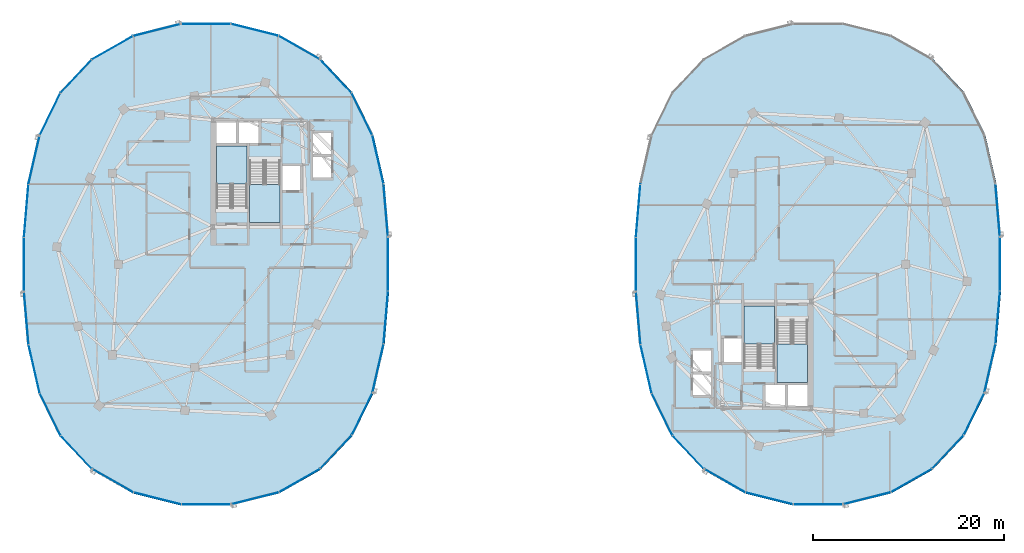
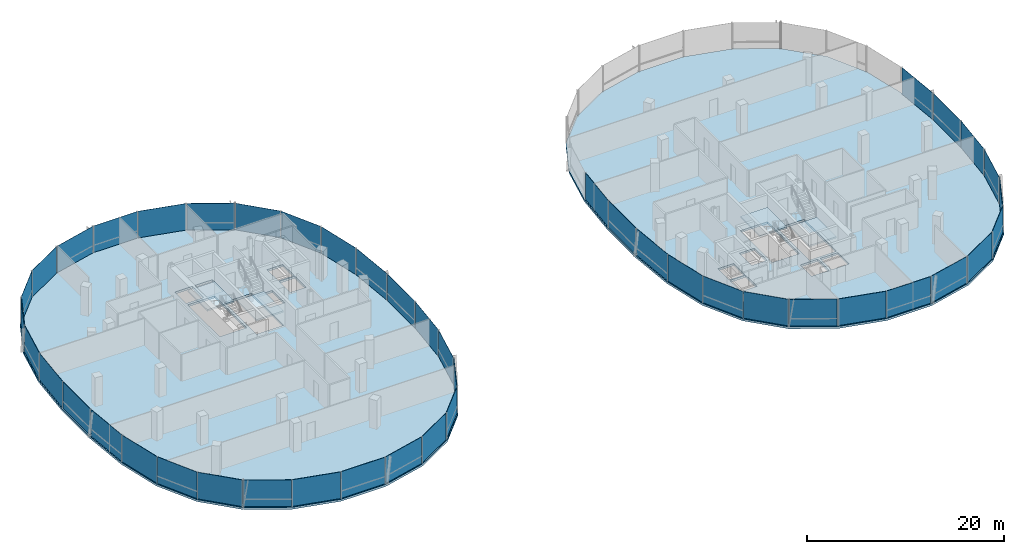
# One storey, part 13 of 25: 45 plates, 6 slabs, 12 elements without a shape of their own.
"""IFC4 building model written with IfcOpenShell, lengths in metres."""

import ifcopenshell
import ifcopenshell.guid

model = None  # the IFC model being written
_history = None  # IfcOwnerHistory: only IFC2X3 demands one
_inside = {}  # id of a spatial element -> (the spatial element, [elements in it])
_under = {}  # id of a project, library or spatial element -> (it, [spatial elements below it])
_declared = {}  # id of a project -> (the project, [libraries it declares])
_typed = {}  # id of a type object -> (the type object, [elements of that type])
_made_of = {}  # id of a material, layer set ... -> (it, [elements and type objects made of it])


def new_model(schema):
    """Start an empty IFC model of exactly this schema.

    Asked for "IFC4X3", IfcOpenShell would pick the latest addendum, in which some entities
    have other attributes; the version numbers below select the first issue.
    IFC2X3 requires an IfcOwnerHistory on every rooted entity: one is made here for all.
    """
    global model, _history
    if schema == "IFC4X3":
        model = ifcopenshell.file(schema_version=(4, 3, 0, 0))
    else:
        model = ifcopenshell.file(schema=schema)
    _inside.clear()
    _under.clear()
    _declared.clear()
    _typed.clear()
    _made_of.clear()
    _history = None
    if model.schema == "IFC2X3":
        org = make("IfcOrganization", Name="unknown")
        user = make(
            "IfcPersonAndOrganization",
            ThePerson=make("IfcPerson", FamilyName="unknown"),
            TheOrganization=org,
        )
        app = make(
            "IfcApplication",
            ApplicationDeveloper=org,
            Version="unknown",
            ApplicationFullName="unknown",
            ApplicationIdentifier="unknown",
        )
        _history = make(
            "IfcOwnerHistory",
            OwningUser=user,
            OwningApplication=app,
            ChangeAction="ADDED",
            CreationDate=0,
        )
    return model


def make(cls, **values):
    """One entity of the class cls with the attributes given. An attribute that is None is left unset."""
    return model.create_entity(
        cls, **{name: value for name, value in values.items() if value is not None}
    )


def rooted(cls, **values):
    """An entity with a GlobalId (a new one), such as an element, a storey or a relation."""
    return make(cls, GlobalId=ifcopenshell.guid.new(), OwnerHistory=_history, **values)


def si_unit(unit_type, name, prefix=None):
    """IfcSIUnit, for example si_unit("LENGTHUNIT", "METRE", prefix="MILLI")."""
    return make("IfcSIUnit", UnitType=unit_type, Prefix=prefix, Name=name)


def assignment(units):
    """IfcUnitAssignment: the units of a project."""
    return None if units is None else make("IfcUnitAssignment", Units=units)


def point(xyz):
    """IfcCartesianPoint."""
    return None if xyz is None else make("IfcCartesianPoint", Coordinates=xyz)


def direction(xyz):
    """IfcDirection."""
    return None if xyz is None else make("IfcDirection", DirectionRatios=xyz)


def frame(location, z_axis=None, x_axis=None):
    """IfcAxis2Placement3D, a coordinate frame: its origin and axes. An axis left out is left unset."""
    return make(
        "IfcAxis2Placement3D",
        Location=point(location),
        Axis=direction(z_axis),
        RefDirection=direction(x_axis),
    )


def frame_2d(location, x_axis=None):
    """IfcAxis2Placement2D, a coordinate frame in the plane: its origin and x axis."""
    return make(
        "IfcAxis2Placement2D", Location=point(location), RefDirection=direction(x_axis)
    )


def origin():
    """The frame at (0, 0, 0) with its axes left unset."""
    return frame((0.0, 0.0, 0.0))


def origin_2d():
    """The frame at (0, 0) in the plane with its x axis left unset."""
    return frame_2d((0.0, 0.0))


def place(relative_to, where):
    """IfcLocalPlacement: puts the frame where relative to a parent placement (None: the world)."""
    return make(
        "IfcLocalPlacement", PlacementRelTo=relative_to, RelativePlacement=where
    )


def context(
    kind, dimensions, precision=None, world=None, true_north=None, identifier=None
):
    """IfcGeometricRepresentationContext, for example the 3D "Model" context."""
    return make(
        "IfcGeometricRepresentationContext",
        ContextIdentifier=identifier,
        ContextType=kind,
        CoordinateSpaceDimension=dimensions,
        Precision=precision,
        WorldCoordinateSystem=world,
        TrueNorth=true_north,
    )


def subcontext(parent, identifier, kind, view, scale=None):
    """IfcGeometricRepresentationSubContext, for example "Body" below "Model"."""
    return make(
        "IfcGeometricRepresentationSubContext",
        ContextIdentifier=identifier,
        ContextType=kind,
        ParentContext=parent,
        TargetScale=scale,
        TargetView=view,
    )


def project(units=None, contexts=None):
    """IfcProject with its units and contexts."""
    return rooted(
        "IfcProject",
        Name="project",
        RepresentationContexts=contexts,
        UnitsInContext=assignment(units),
    )


def spatial(cls, under=None, at=None, **own):
    """A site, building, storey or space (cls), placed at a placement, below another one or the project."""
    s = rooted(cls, ObjectPlacement=at, **own)
    if under is not None:
        _under.setdefault(under.id(), (under, []))[1].append(s)
    return s


def polyline(points):
    """IfcPolyline through the points."""
    return make("IfcPolyline", Points=[point(p) for p in points])


def profile(cls, at=None, kind="AREA", **sizes):
    """A parametric profile (cls). Its sizes go by their IFC names, for example OverallWidth=200.0."""
    return make(cls, ProfileType=kind, Position=at, **sizes)


def rectangle(**sizes):
    """IfcRectangleProfileDef."""
    return profile("IfcRectangleProfileDef", **sizes)


def outline(outer, holes=None, kind="AREA"):
    """IfcArbitraryClosedProfileDef: a profile drawn as a closed curve; with holes, ...WithVoids."""
    if holes is None:
        return make("IfcArbitraryClosedProfileDef", ProfileType=kind, OuterCurve=outer)
    return make(
        "IfcArbitraryProfileDefWithVoids",
        ProfileType=kind,
        OuterCurve=outer,
        InnerCurves=holes,
    )


def extrude(swept, where, along, depth):
    """IfcExtrudedAreaSolid: the profile swept, set in the frame where, extruded along a direction by depth."""
    return make(
        "IfcExtrudedAreaSolid",
        SweptArea=swept,
        Position=where,
        ExtrudedDirection=direction(along),
        Depth=depth,
    )


def shape(context_of_items, identifier, shape_type, items):
    """IfcShapeRepresentation: the items that make up one representation, for example the "Body"."""
    return make(
        "IfcShapeRepresentation",
        ContextOfItems=context_of_items,
        RepresentationIdentifier=identifier,
        RepresentationType=shape_type,
        Items=items,
    )


def material(Name=None, Category=None):
    """IfcMaterial."""
    return make("IfcMaterial", Name=Name, Category=Category)


def layer(
    of_material, thickness, ventilated=None, Name=None, Category=None, Priority=None
):
    """IfcMaterialLayer: one layer of a wall or slab, of a material (None: an air gap)."""
    return make(
        "IfcMaterialLayer",
        Material=of_material,
        LayerThickness=thickness,
        IsVentilated=ventilated,
        Name=Name,
        Category=Category,
        Priority=Priority,
    )


def layer_set(layers, Name=None):
    """IfcMaterialLayerSet."""
    return make("IfcMaterialLayerSet", MaterialLayers=layers, LayerSetName=Name)


def made_of(thing, what):
    """Note that an element or type object is made of a material, layer set ...; save() writes the relation."""
    if what is not None:
        _made_of.setdefault(what.id(), (what, []))[1].append(thing)
    return thing


def type_object(cls, material=None, **own):
    """A type object (cls), such as IfcWallType, which elements share."""
    return made_of(rooted(cls, **own), material)


def element(
    cls,
    number,
    at=None,
    inside=None,
    cuts=None,
    type_object=None,
    material=None,
    context=None,
    identifier="Body",
    shape_type=None,
    held_by="IfcProductDefinitionShape",
    body=None,
    shapes=None,
    **own,
):
    """One element of the class cls, such as IfcWall. Its Tag is "e" and its number.

    at: its placement. inside: the storey or other place that contains it. cuts: it is an
    opening in that element (IfcRelVoidsElement). A single representation is given by context,
    identifier, shape_type and body (its items); several are given by shapes. held_by: the class
    of the entity that holds the representations. save() writes the other relations.
    """
    e = rooted(cls, Tag="e%d" % number, ObjectPlacement=at, **own)
    if body is not None:
        shapes = [shape(context, identifier, shape_type, body)]
    if shapes is not None:
        e.Representation = make(held_by, Representations=shapes)
    if inside is not None:
        _inside.setdefault(inside.id(), (inside, []))[1].append(e)
    if cuts is not None:
        rooted(
            "IfcRelVoidsElement", RelatingBuildingElement=cuts, RelatedOpeningElement=e
        )
    if type_object is not None:
        _typed.setdefault(type_object.id(), (type_object, []))[1].append(e)
    return made_of(e, material)


def aggregate(whole, parts):
    """IfcRelAggregates: a whole, such as a stair, and the parts it consists of."""
    return rooted("IfcRelAggregates", RelatingObject=whole, RelatedObjects=parts)


def save(model, path):
    """Write the relations noted so far, then the file.

    IfcRelAggregates (storeys below a building ...), IfcRelContainedInSpatialStructure (elements
    in a storey), IfcRelDefinesByType, IfcRelAssociatesMaterial and IfcRelDeclares: one each for
    every whole, place, type object, material and project.
    """
    for whole, parts in _under.values():
        aggregate(whole, parts)
    for where, things in _inside.values():
        rooted(
            "IfcRelContainedInSpatialStructure",
            RelatedElements=things,
            RelatingStructure=where,
        )
    for kind, things in _typed.values():
        rooted("IfcRelDefinesByType", RelatedObjects=things, RelatingType=kind)
    for what, things in _made_of.values():
        rooted("IfcRelAssociatesMaterial", RelatedObjects=things, RelatingMaterial=what)
    for by, libraries in _declared.values():
        rooted("IfcRelDeclares", RelatingContext=by, RelatedDefinitions=libraries)
    model.write(path)


model = new_model("IFC4")

# Units and contexts
model_context = context("Model", 3, precision=1e-05, world=origin(), true_north=direction((0.0, 1.0)))
body_context = subcontext(model_context, "Body", "Model", "MODEL_VIEW")
ifc_project = project(units=[si_unit("LENGTHUNIT", "METRE"), si_unit("AREAUNIT", "SQUARE_METRE"), si_unit("VOLUMEUNIT", "CUBIC_METRE"), si_unit("PLANEANGLEUNIT", "RADIAN"), si_unit("MASSUNIT", "GRAM", prefix="KILO"), si_unit("THERMODYNAMICTEMPERATUREUNIT", "KELVIN"), si_unit("POWERUNIT", "WATT")], contexts=[model_context])

# Site, building, storey
site_placement = place(None, origin())
site = spatial("IfcSite", under=ifc_project, at=site_placement, CompositionType="ELEMENT")
building_placement = place(site_placement, origin())
building = spatial("IfcBuilding", under=site, at=building_placement, Name="Cundina Bronze Exchange", CompositionType="ELEMENT")
storey_placement = place(building_placement, frame((0.0, 0.0, 224.199951171875)))
storey = spatial("IfcBuildingStorey", under=building, at=storey_placement, Name="L59", CompositionType="ELEMENT", Elevation=224.199951171875)

# Curtain wall, plates
ifc_material_1 = material(Name="Anodised Bronze Aluminium 6063-T6", Category="aluminium")
curtain_wall_type = type_object("IfcCurtainWallType", Name="CWS-UPP-OFF", PredefinedType="NOTDEFINED", material=ifc_material_1)
curtain_wall_1_placement = place(storey_placement, origin())
curtain_wall_1 = element("IfcCurtainWall", 1, at=curtain_wall_1_placement, inside=storey, type_object=curtain_wall_type, Name="L59 CW-05 Curtain Wall Run CWR-L59-W1", PredefinedType="NOTDEFINED")
ifc_material_2 = material(Name="Heat-Strengthened Solar-Control Bronze Safety Glass 28mm", Category="glass")
ifc_layer_1 = layer(ifc_material_2, 0.028076171875, Name="Heat-Strengthened Solar-Control Bronze Safety Glass 28mm", Category="glass")
ifc_layer_set_1 = layer_set([ifc_layer_1], Name="Heat-Strengthened Solar-Control Bronze Safety Glass 28mm")
plate_type_1 = type_object("IfcPlateType", Name="PLT-GLZ-VIS28", PredefinedType="CURTAIN_PANEL", material=ifc_layer_set_1)
plate_1_placement = place(storey_placement, frame((-14.01611328125, 10.92578125, 0.02001953125), z_axis=(0.0, 0.0, 1.0), x_axis=(-0.223284141459, 0.974753400698, 0.0)))
plate_1 = element("IfcPlate", 2, at=plate_1_placement, type_object=plate_type_1, Name="CW-05 Glazed Panel 2", PredefinedType="CURTAIN_PANEL", context=body_context, shape_type="SweptSolid", body=[
    extrude(rectangle(XDim=5.167724609375, YDim=0.028076171875, at=origin_2d()), origin(), (0.0, 0.0, 1.0), 3.300048828125),
])
plate_2_placement = place(storey_placement, frame((-15.685302734375, 15.686767578125, 0.02001953125), z_axis=(0.0, 0.0, 1.0), x_axis=(-0.440503330345, 0.897750976582, 0.0)))
plate_2 = element("IfcPlate", 3, at=plate_2_placement, type_object=plate_type_1, Name="CW-05 Glazed Panel 3", PredefinedType="CURTAIN_PANEL", context=body_context, shape_type="SweptSolid", body=[
    extrude(rectangle(XDim=4.863525390625, YDim=0.028076171875, at=origin_2d()), origin(), (0.0, 0.0, 1.0), 3.300048828125),
])
plate_3_placement = place(storey_placement, frame((-18.4208984375, 19.6552734375, 0.02001953125), z_axis=(0.0, 0.0, 1.0), x_axis=(-0.684343512797, 0.72915976061, 0.0)))
plate_3 = element("IfcPlate", 4, at=plate_3_placement, type_object=plate_type_1, Name="CW-05 Glazed Panel 4", PredefinedType="CURTAIN_PANEL", context=body_context, shape_type="SweptSolid", body=[
    extrude(rectangle(XDim=4.773193359375, YDim=0.028076171875, at=origin_2d()), origin(), (0.0, 0.0, 1.0), 3.300048828125),
])
plate_4_placement = place(storey_placement, frame((-22.230712890625, 22.64111328125, 0.02001953125), z_axis=(0.0, 0.0, 1.0), x_axis=(-0.869572506985, 0.493805280547, 0.0)))
plate_4 = element("IfcPlate", 5, at=plate_4_placement, type_object=plate_type_1, Name="CW-05 Glazed Panel 5", PredefinedType="CURTAIN_PANEL", context=body_context, shape_type="SweptSolid", body=[
    extrude(rectangle(XDim=4.907958984375, YDim=0.028076171875, at=origin_2d()), origin(), (0.0, 0.0, 1.0), 3.300048828125),
])
plate_5_placement = place(storey_placement, frame((-32.0, 25.125, 0.02001953125), z_axis=(0.0, 0.0, 1.0), x_axis=(-1.0, 0.0, 0.0)))
plate_5 = element("IfcPlate", 6, at=plate_5_placement, type_object=plate_type_1, Name="CW-05 Glazed Panel 7", PredefinedType="CURTAIN_PANEL", context=body_context, shape_type="SweptSolid", body=[
    extrude(rectangle(XDim=5.16796875, YDim=0.028076171875, at=origin_2d()), origin(), (0.0, 0.0, 1.0), 3.300048828125),
])

curtain_wall_2_placement = place(storey_placement, origin())
curtain_wall_2 = element("IfcCurtainWall", 7, at=curtain_wall_2_placement, inside=storey, type_object=curtain_wall_type, Name="L59 CW-05 Curtain Wall Run CWR-L59-W2", PredefinedType="NOTDEFINED")
plate_6_placement = place(storey_placement, frame((-37.11279296875, 24.49609375, 0.02001953125), z_axis=(0.0, 0.0, 1.0), x_axis=(-0.969731542251, -0.244173577528, 0.0)))
plate_6 = element("IfcPlate", 8, at=plate_6_placement, type_object=plate_type_1, Name="CW-05 Glazed Panel 1", PredefinedType="CURTAIN_PANEL", context=body_context, shape_type="SweptSolid", body=[
    extrude(rectangle(XDim=5.0908203125, YDim=0.028076171875, at=origin_2d()), origin(), (0.0, 0.0, 1.0), 3.300048828125),
])
plate_7_placement = place(storey_placement, frame((-41.769287109375, 22.64111328125, 0.02001953125), z_axis=(0.0, 0.0, 1.0), x_axis=(-0.869572506985, -0.493805280547, 0.0)))
plate_7 = element("IfcPlate", 9, at=plate_7_placement, type_object=plate_type_1, Name="CW-05 Glazed Panel 2", PredefinedType="CURTAIN_PANEL", context=body_context, shape_type="SweptSolid", body=[
    extrude(rectangle(XDim=4.907958984375, YDim=0.028076171875, at=origin_2d()), origin(), (0.0, 0.0, 1.0), 3.300048828125),
])
plate_8_placement = place(storey_placement, frame((-45.5791015625, 19.6552734375, 0.02001953125), z_axis=(0.0, 0.0, 1.0), x_axis=(-0.684343512797, -0.72915976061, 0.0)))
plate_8 = element("IfcPlate", 10, at=plate_8_placement, type_object=plate_type_1, Name="CW-05 Glazed Panel 3", PredefinedType="CURTAIN_PANEL", context=body_context, shape_type="SweptSolid", body=[
    extrude(rectangle(XDim=4.773193359375, YDim=0.028076171875, at=origin_2d()), origin(), (0.0, 0.0, 1.0), 3.300048828125),
])
plate_9_placement = place(storey_placement, frame((-48.314697265625, 15.686767578125, 0.02001953125), z_axis=(0.0, 0.0, 1.0), x_axis=(-0.440503330345, -0.897750976582, 0.0)))
plate_9 = element("IfcPlate", 11, at=plate_9_placement, type_object=plate_type_1, Name="CW-05 Glazed Panel 4", PredefinedType="CURTAIN_PANEL", context=body_context, shape_type="SweptSolid", body=[
    extrude(rectangle(XDim=4.863525390625, YDim=0.028076171875, at=origin_2d()), origin(), (0.0, 0.0, 1.0), 3.300048828125),
])
plate_10_placement = place(storey_placement, frame((-50.801513671875, 5.60693359375, 0.02001953125), z_axis=(0.0, 0.0, 1.0), x_axis=(-0.083747411454, -0.996487015006, 0.0)))
plate_10 = element("IfcPlate", 12, at=plate_10_placement, type_object=plate_type_1, Name="CW-05 Glazed Panel 6", PredefinedType="CURTAIN_PANEL", context=body_context, shape_type="SweptSolid", body=[
    extrude(rectangle(XDim=5.474609375, YDim=0.028076171875, at=origin_2d()), origin(), (0.0, 0.0, 1.0), 3.300048828125),
])
plate_11_placement = place(storey_placement, frame((-51.033935546875, 0.0, 0.02001953125), z_axis=(0.0, 0.0, 1.0), x_axis=(0.0, -1.0, 0.0)))
plate_11 = element("IfcPlate", 13, at=plate_11_placement, type_object=plate_type_1, Name="CW-05 Glazed Panel 7", PredefinedType="CURTAIN_PANEL", context=body_context, shape_type="SweptSolid", body=[
    extrude(rectangle(XDim=5.597900390625, YDim=0.028076171875, at=origin_2d()), origin(), (0.0, 0.0, 1.0), 3.300048828125),
])

curtain_wall_3_placement = place(storey_placement, origin())
curtain_wall_3 = element("IfcCurtainWall", 14, at=curtain_wall_3_placement, inside=storey, type_object=curtain_wall_type, Name="L59 CW-05 Curtain Wall Run CWR-L59-W3", PredefinedType="NOTDEFINED")
plate_12_placement = place(storey_placement, frame((-50.801513671875, -5.60693359375, 0.02001953125), z_axis=(0.0, 0.0, 1.0), x_axis=(0.083747411454, -0.996487015006, 0.0)))
plate_12 = element("IfcPlate", 15, at=plate_12_placement, type_object=plate_type_1, Name="CW-05 Glazed Panel 1", PredefinedType="CURTAIN_PANEL", context=body_context, shape_type="SweptSolid", body=[
    extrude(rectangle(XDim=5.474609375, YDim=0.028076171875, at=origin_2d()), origin(), (0.0, 0.0, 1.0), 3.300048828125),
])
plate_13_placement = place(storey_placement, frame((-49.98388671875, -10.92578125, 0.02001953125), z_axis=(0.0, 0.0, 1.0), x_axis=(0.223284141459, -0.974753400698, 0.0)))
plate_13 = element("IfcPlate", 16, at=plate_13_placement, type_object=plate_type_1, Name="CW-05 Glazed Panel 2", PredefinedType="CURTAIN_PANEL", context=body_context, shape_type="SweptSolid", body=[
    extrude(rectangle(XDim=5.167724609375, YDim=0.028076171875, at=origin_2d()), origin(), (0.0, 0.0, 1.0), 3.300048828125),
])
plate_14_placement = place(storey_placement, frame((-48.314697265625, -15.686767578125, 0.02001953125), z_axis=(0.0, 0.0, 1.0), x_axis=(0.440503330345, -0.897750976582, 0.0)))
plate_14 = element("IfcPlate", 17, at=plate_14_placement, type_object=plate_type_1, Name="CW-05 Glazed Panel 3", PredefinedType="CURTAIN_PANEL", context=body_context, shape_type="SweptSolid", body=[
    extrude(rectangle(XDim=4.863525390625, YDim=0.028076171875, at=origin_2d()), origin(), (0.0, 0.0, 1.0), 3.300048828125),
])
plate_15_placement = place(storey_placement, frame((-41.769287109375, -22.64111328125, 0.02001953125), z_axis=(0.0, 0.0, 1.0), x_axis=(0.869572506985, -0.493805280547, 0.0)))
plate_15 = element("IfcPlate", 18, at=plate_15_placement, type_object=plate_type_1, Name="CW-05 Glazed Panel 5", PredefinedType="CURTAIN_PANEL", context=body_context, shape_type="SweptSolid", body=[
    extrude(rectangle(XDim=4.907958984375, YDim=0.028076171875, at=origin_2d()), origin(), (0.0, 0.0, 1.0), 3.300048828125),
])
plate_16_placement = place(storey_placement, frame((-37.11279296875, -24.49609375, 0.02001953125), z_axis=(0.0, 0.0, 1.0), x_axis=(0.969731542251, -0.244173577528, 0.0)))
plate_16 = element("IfcPlate", 19, at=plate_16_placement, type_object=plate_type_1, Name="CW-05 Glazed Panel 6", PredefinedType="CURTAIN_PANEL", context=body_context, shape_type="SweptSolid", body=[
    extrude(rectangle(XDim=5.0908203125, YDim=0.028076171875, at=origin_2d()), origin(), (0.0, 0.0, 1.0), 3.300048828125),
])
plate_17_placement = place(storey_placement, frame((-32.0, -25.125, 0.02001953125), z_axis=(0.0, 0.0, 1.0), x_axis=(1.0, 0.0, 0.0)))
plate_17 = element("IfcPlate", 20, at=plate_17_placement, type_object=plate_type_1, Name="CW-05 Glazed Panel 7", PredefinedType="CURTAIN_PANEL", context=body_context, shape_type="SweptSolid", body=[
    extrude(rectangle(XDim=5.16796875, YDim=0.028076171875, at=origin_2d()), origin(), (0.0, 0.0, 1.0), 3.300048828125),
])

curtain_wall_4_placement = place(storey_placement, origin())
curtain_wall_4 = element("IfcCurtainWall", 21, at=curtain_wall_4_placement, inside=storey, type_object=curtain_wall_type, Name="L59 CW-05 Curtain Wall Run CWR-L59-W4", PredefinedType="NOTDEFINED")
plate_18_placement = place(storey_placement, frame((-26.88720703125, -24.49609375, 0.02001953125), z_axis=(0.0, 0.0, 1.0), x_axis=(0.969731542251, 0.244173577528, 0.0)))
plate_18 = element("IfcPlate", 22, at=plate_18_placement, type_object=plate_type_1, Name="CW-05 Glazed Panel 1", PredefinedType="CURTAIN_PANEL", context=body_context, shape_type="SweptSolid", body=[
    extrude(rectangle(XDim=5.0908203125, YDim=0.028076171875, at=origin_2d()), origin(), (0.0, 0.0, 1.0), 3.300048828125),
])
plate_19_placement = place(storey_placement, frame((-22.230712890625, -22.64111328125, 0.02001953125), z_axis=(0.0, 0.0, 1.0), x_axis=(0.869572506985, 0.493805280547, 0.0)))
plate_19 = element("IfcPlate", 23, at=plate_19_placement, type_object=plate_type_1, Name="CW-05 Glazed Panel 2", PredefinedType="CURTAIN_PANEL", context=body_context, shape_type="SweptSolid", body=[
    extrude(rectangle(XDim=4.907958984375, YDim=0.028076171875, at=origin_2d()), origin(), (0.0, 0.0, 1.0), 3.300048828125),
])
plate_20_placement = place(storey_placement, frame((-15.685302734375, -15.686767578125, 0.02001953125), z_axis=(0.0, 0.0, 1.0), x_axis=(0.440503330345, 0.897750976582, 0.0)))
plate_20 = element("IfcPlate", 24, at=plate_20_placement, type_object=plate_type_1, Name="CW-05 Glazed Panel 4", PredefinedType="CURTAIN_PANEL", context=body_context, shape_type="SweptSolid", body=[
    extrude(rectangle(XDim=4.863525390625, YDim=0.028076171875, at=origin_2d()), origin(), (0.0, 0.0, 1.0), 3.300048828125),
])
plate_21_placement = place(storey_placement, frame((-14.01611328125, -10.92578125, 0.02001953125), z_axis=(0.0, 0.0, 1.0), x_axis=(0.223284141459, 0.974753400698, 0.0)))
plate_21 = element("IfcPlate", 25, at=plate_21_placement, type_object=plate_type_1, Name="CW-05 Glazed Panel 5", PredefinedType="CURTAIN_PANEL", context=body_context, shape_type="SweptSolid", body=[
    extrude(rectangle(XDim=5.167724609375, YDim=0.028076171875, at=origin_2d()), origin(), (0.0, 0.0, 1.0), 3.300048828125),
])
plate_22_placement = place(storey_placement, frame((-13.198486328125, -5.60693359375, 0.02001953125), z_axis=(0.0, 0.0, 1.0), x_axis=(0.083747411454, 0.996487015006, 0.0)))
plate_22 = element("IfcPlate", 26, at=plate_22_placement, type_object=plate_type_1, Name="CW-05 Glazed Panel 6", PredefinedType="CURTAIN_PANEL", context=body_context, shape_type="SweptSolid", body=[
    extrude(rectangle(XDim=5.474609375, YDim=0.028076171875, at=origin_2d()), origin(), (0.0, 0.0, 1.0), 3.300048828125),
])
plate_23_placement = place(storey_placement, frame((-12.966064453125, 0.0, 0.02001953125), z_axis=(0.0, 0.0, 1.0), x_axis=(0.0, 1.0, 0.0)))
plate_23 = element("IfcPlate", 27, at=plate_23_placement, type_object=plate_type_1, Name="CW-05 Glazed Panel 7", PredefinedType="CURTAIN_PANEL", context=body_context, shape_type="SweptSolid", body=[
    extrude(rectangle(XDim=5.597900390625, YDim=0.028076171875, at=origin_2d()), origin(), (0.0, 0.0, 1.0), 3.300048828125),
])

curtain_wall_5_placement = place(storey_placement, origin())
curtain_wall_5 = element("IfcCurtainWall", 28, at=curtain_wall_5_placement, inside=storey, type_object=curtain_wall_type, Name="L59 CW-05 Curtain Wall Run CWR-L59-E2", PredefinedType="NOTDEFINED")
plate_24_placement = place(storey_placement, frame((13.198486328125, 5.60693359375, 0.02001953125), z_axis=(0.0, 0.0, 1.0), x_axis=(-0.083747411454, -0.996487015006, 0.0)))
plate_24 = element("IfcPlate", 29, at=plate_24_placement, type_object=plate_type_1, Name="CW-05 Glazed Panel 6", PredefinedType="CURTAIN_PANEL", context=body_context, shape_type="SweptSolid", body=[
    extrude(rectangle(XDim=5.474609375, YDim=0.028076171875, at=origin_2d()), origin(), (0.0, 0.0, 1.0), 3.300048828125),
])
plate_25_placement = place(storey_placement, frame((12.966064453125, 0.0, 0.02001953125), z_axis=(0.0, 0.0, 1.0), x_axis=(0.0, -1.0, 0.0)))
plate_25 = element("IfcPlate", 30, at=plate_25_placement, type_object=plate_type_1, Name="CW-05 Glazed Panel 7", PredefinedType="CURTAIN_PANEL", context=body_context, shape_type="SweptSolid", body=[
    extrude(rectangle(XDim=5.597900390625, YDim=0.028076171875, at=origin_2d()), origin(), (0.0, 0.0, 1.0), 3.300048828125),
])
aggregate(curtain_wall_5, [plate_24, plate_25])

curtain_wall_6_placement = place(storey_placement, origin())
curtain_wall_6 = element("IfcCurtainWall", 31, at=curtain_wall_6_placement, inside=storey, type_object=curtain_wall_type, Name="L59 CW-05 Curtain Wall Run CWR-L59-E3", PredefinedType="NOTDEFINED")
plate_26_placement = place(storey_placement, frame((13.198486328125, -5.60693359375, 0.02001953125), z_axis=(0.0, 0.0, 1.0), x_axis=(0.083747411454, -0.996487015006, 0.0)))
plate_26 = element("IfcPlate", 32, at=plate_26_placement, type_object=plate_type_1, Name="CW-05 Glazed Panel 1", PredefinedType="CURTAIN_PANEL", context=body_context, shape_type="SweptSolid", body=[
    extrude(rectangle(XDim=5.474609375, YDim=0.028076171875, at=origin_2d()), origin(), (0.0, 0.0, 1.0), 3.300048828125),
])
plate_27_placement = place(storey_placement, frame((14.01611328125, -10.92578125, 0.02001953125), z_axis=(0.0, 0.0, 1.0), x_axis=(0.223284141459, -0.974753400698, 0.0)))
plate_27 = element("IfcPlate", 33, at=plate_27_placement, type_object=plate_type_1, Name="CW-05 Glazed Panel 2", PredefinedType="CURTAIN_PANEL", context=body_context, shape_type="SweptSolid", body=[
    extrude(rectangle(XDim=5.167724609375, YDim=0.028076171875, at=origin_2d()), origin(), (0.0, 0.0, 1.0), 3.300048828125),
])
plate_28_placement = place(storey_placement, frame((15.685302734375, -15.686767578125, 0.02001953125), z_axis=(0.0, 0.0, 1.0), x_axis=(0.440503330345, -0.897750976582, 0.0)))
plate_28 = element("IfcPlate", 34, at=plate_28_placement, type_object=plate_type_1, Name="CW-05 Glazed Panel 3", PredefinedType="CURTAIN_PANEL", context=body_context, shape_type="SweptSolid", body=[
    extrude(rectangle(XDim=4.863525390625, YDim=0.028076171875, at=origin_2d()), origin(), (0.0, 0.0, 1.0), 3.300048828125),
])
plate_29_placement = place(storey_placement, frame((22.230712890625, -22.64111328125, 0.02001953125), z_axis=(0.0, 0.0, 1.0), x_axis=(0.869572506985, -0.493805280547, 0.0)))
plate_29 = element("IfcPlate", 35, at=plate_29_placement, type_object=plate_type_1, Name="CW-05 Glazed Panel 5", PredefinedType="CURTAIN_PANEL", context=body_context, shape_type="SweptSolid", body=[
    extrude(rectangle(XDim=4.907958984375, YDim=0.028076171875, at=origin_2d()), origin(), (0.0, 0.0, 1.0), 3.300048828125),
])
plate_30_placement = place(storey_placement, frame((26.88720703125, -24.49609375, 0.02001953125), z_axis=(0.0, 0.0, 1.0), x_axis=(0.969731542251, -0.244173577528, 0.0)))
plate_30 = element("IfcPlate", 36, at=plate_30_placement, type_object=plate_type_1, Name="CW-05 Glazed Panel 6", PredefinedType="CURTAIN_PANEL", context=body_context, shape_type="SweptSolid", body=[
    extrude(rectangle(XDim=5.0908203125, YDim=0.028076171875, at=origin_2d()), origin(), (0.0, 0.0, 1.0), 3.300048828125),
])
plate_31_placement = place(storey_placement, frame((32.0, -25.125, 0.02001953125), z_axis=(0.0, 0.0, 1.0), x_axis=(1.0, 0.0, 0.0)))
plate_31 = element("IfcPlate", 37, at=plate_31_placement, type_object=plate_type_1, Name="CW-05 Glazed Panel 7", PredefinedType="CURTAIN_PANEL", context=body_context, shape_type="SweptSolid", body=[
    extrude(rectangle(XDim=5.16796875, YDim=0.028076171875, at=origin_2d()), origin(), (0.0, 0.0, 1.0), 3.300048828125),
])

curtain_wall_7_placement = place(storey_placement, origin())
curtain_wall_7 = element("IfcCurtainWall", 38, at=curtain_wall_7_placement, inside=storey, type_object=curtain_wall_type, Name="L59 CW-05 Curtain Wall Run CWR-L59-E4", PredefinedType="NOTDEFINED")
plate_32_placement = place(storey_placement, frame((37.11279296875, -24.49609375, 0.02001953125), z_axis=(0.0, 0.0, 1.0), x_axis=(0.969731542251, 0.244173577528, 0.0)))
plate_32 = element("IfcPlate", 39, at=plate_32_placement, type_object=plate_type_1, Name="CW-05 Glazed Panel 1", PredefinedType="CURTAIN_PANEL", context=body_context, shape_type="SweptSolid", body=[
    extrude(rectangle(XDim=5.0908203125, YDim=0.028076171875, at=origin_2d()), origin(), (0.0, 0.0, 1.0), 3.300048828125),
])
plate_33_placement = place(storey_placement, frame((41.769287109375, -22.64111328125, 0.02001953125), z_axis=(0.0, 0.0, 1.0), x_axis=(0.869572506985, 0.493805280547, 0.0)))
plate_33 = element("IfcPlate", 40, at=plate_33_placement, type_object=plate_type_1, Name="CW-05 Glazed Panel 2", PredefinedType="CURTAIN_PANEL", context=body_context, shape_type="SweptSolid", body=[
    extrude(rectangle(XDim=4.907958984375, YDim=0.028076171875, at=origin_2d()), origin(), (0.0, 0.0, 1.0), 3.300048828125),
])
plate_34_placement = place(storey_placement, frame((48.314697265625, -15.686767578125, 0.02001953125), z_axis=(0.0, 0.0, 1.0), x_axis=(0.440503330345, 0.897750976582, 0.0)))
plate_34 = element("IfcPlate", 41, at=plate_34_placement, type_object=plate_type_1, Name="CW-05 Glazed Panel 4", PredefinedType="CURTAIN_PANEL", context=body_context, shape_type="SweptSolid", body=[
    extrude(rectangle(XDim=4.863525390625, YDim=0.028076171875, at=origin_2d()), origin(), (0.0, 0.0, 1.0), 3.300048828125),
])
plate_35_placement = place(storey_placement, frame((49.98388671875, -10.92578125, 0.02001953125), z_axis=(0.0, 0.0, 1.0), x_axis=(0.223284141459, 0.974753400698, 0.0)))
plate_35 = element("IfcPlate", 42, at=plate_35_placement, type_object=plate_type_1, Name="CW-05 Glazed Panel 5", PredefinedType="CURTAIN_PANEL", context=body_context, shape_type="SweptSolid", body=[
    extrude(rectangle(XDim=5.167724609375, YDim=0.028076171875, at=origin_2d()), origin(), (0.0, 0.0, 1.0), 3.300048828125),
])
plate_36_placement = place(storey_placement, frame((50.801513671875, -5.60693359375, 0.02001953125), z_axis=(0.0, 0.0, 1.0), x_axis=(0.083747411454, 0.996487015006, 0.0)))
plate_36 = element("IfcPlate", 43, at=plate_36_placement, type_object=plate_type_1, Name="CW-05 Glazed Panel 6", PredefinedType="CURTAIN_PANEL", context=body_context, shape_type="SweptSolid", body=[
    extrude(rectangle(XDim=5.474609375, YDim=0.028076171875, at=origin_2d()), origin(), (0.0, 0.0, 1.0), 3.300048828125),
])
plate_37_placement = place(storey_placement, frame((51.033935546875, 0.0, 0.02001953125), z_axis=(0.0, 0.0, 1.0), x_axis=(0.0, 1.0, 0.0)))
plate_37 = element("IfcPlate", 44, at=plate_37_placement, type_object=plate_type_1, Name="CW-05 Glazed Panel 7", PredefinedType="CURTAIN_PANEL", context=body_context, shape_type="SweptSolid", body=[
    extrude(rectangle(XDim=5.597900390625, YDim=0.028076171875, at=origin_2d()), origin(), (0.0, 0.0, 1.0), 3.300048828125),
])

# Plate
ifc_material_3 = material(Name="Dark Bronze Spandrel Glass Panel 32mm", Category="glass")
ifc_layer_2 = layer(ifc_material_3, 0.031982421875, Name="Dark Bronze Spandrel Glass Panel 32mm", Category="glass")
ifc_layer_set_2 = layer_set([ifc_layer_2], Name="Dark Bronze Spandrel Glass Panel 32mm")
plate_type_2 = type_object("IfcPlateType", Name="PLT-SPN-BRZ32", PredefinedType="CURTAIN_PANEL", material=ifc_layer_set_2)
plate_38_placement = place(storey_placement, frame((-13.198486328125, 5.60693359375, 0.02001953125), z_axis=(0.0, 0.0, 1.0), x_axis=(-0.083747411454, 0.996487015006, 0.0)))
plate_38 = element("IfcPlate", 45, at=plate_38_placement, type_object=plate_type_2, Name="CW-05 Glazed Panel 1", PredefinedType="CURTAIN_PANEL", context=body_context, shape_type="SweptSolid", body=[
    extrude(rectangle(XDim=5.474609375, YDim=0.031982421875, at=origin_2d()), origin(), (0.0, 0.0, 1.0), 3.300048828125),
])

plate_39_placement = place(storey_placement, frame((-26.88720703125, 24.49609375, 0.02001953125), z_axis=(0.0, 0.0, 1.0), x_axis=(-0.969731542251, 0.244173577528, 0.0)))
plate_39 = element("IfcPlate", 46, at=plate_39_placement, type_object=plate_type_2, Name="CW-05 Glazed Panel 6", PredefinedType="CURTAIN_PANEL", context=body_context, shape_type="SweptSolid", body=[
    extrude(rectangle(XDim=5.0908203125, YDim=0.031982421875, at=origin_2d()), origin(), (0.0, 0.0, 1.0), 3.300048828125),
])

aggregate(curtain_wall_1, [plate_38, plate_1, plate_2, plate_3, plate_4, plate_39, plate_5])

plate_40_placement = place(storey_placement, frame((-49.98388671875, 10.92578125, 0.02001953125), z_axis=(0.0, 0.0, 1.0), x_axis=(-0.223284141459, -0.974753400698, 0.0)))
plate_40 = element("IfcPlate", 47, at=plate_40_placement, type_object=plate_type_2, Name="CW-05 Glazed Panel 5", PredefinedType="CURTAIN_PANEL", context=body_context, shape_type="SweptSolid", body=[
    extrude(rectangle(XDim=5.167724609375, YDim=0.031982421875, at=origin_2d()), origin(), (0.0, 0.0, 1.0), 3.300048828125),
])

aggregate(curtain_wall_2, [plate_6, plate_7, plate_8, plate_9, plate_40, plate_10, plate_11])

plate_41_placement = place(storey_placement, frame((-45.5791015625, -19.6552734375, 0.02001953125), z_axis=(0.0, 0.0, 1.0), x_axis=(0.684343512797, -0.72915976061, 0.0)))
plate_41 = element("IfcPlate", 48, at=plate_41_placement, type_object=plate_type_2, Name="CW-05 Glazed Panel 4", PredefinedType="CURTAIN_PANEL", context=body_context, shape_type="SweptSolid", body=[
    extrude(rectangle(XDim=4.773193359375, YDim=0.031982421875, at=origin_2d()), origin(), (0.0, 0.0, 1.0), 3.300048828125),
])

aggregate(curtain_wall_3, [plate_12, plate_13, plate_14, plate_41, plate_15, plate_16, plate_17])

plate_42_placement = place(storey_placement, frame((-18.4208984375, -19.6552734375, 0.02001953125), z_axis=(0.0, 0.0, 1.0), x_axis=(0.684343512797, 0.72915976061, 0.0)))
plate_42 = element("IfcPlate", 49, at=plate_42_placement, type_object=plate_type_2, Name="CW-05 Glazed Panel 3", PredefinedType="CURTAIN_PANEL", context=body_context, shape_type="SweptSolid", body=[
    extrude(rectangle(XDim=4.773193359375, YDim=0.031982421875, at=origin_2d()), origin(), (0.0, 0.0, 1.0), 3.300048828125),
])

aggregate(curtain_wall_4, [plate_18, plate_19, plate_42, plate_20, plate_21, plate_22, plate_23])

# Curtain wall, plate
curtain_wall_8_placement = place(storey_placement, origin())
curtain_wall_8 = element("IfcCurtainWall", 50, at=curtain_wall_8_placement, inside=storey, type_object=curtain_wall_type, Name="L59 CW-05 Curtain Wall Run CWR-L59-E1", PredefinedType="NOTDEFINED")
plate_43_placement = place(storey_placement, frame((50.801513671875, 5.60693359375, 0.02001953125), z_axis=(0.0, 0.0, 1.0), x_axis=(-0.083747411454, 0.996487015006, 0.0)))
plate_43 = element("IfcPlate", 51, at=plate_43_placement, type_object=plate_type_2, Name="CW-05 Glazed Panel 1", PredefinedType="CURTAIN_PANEL", context=body_context, shape_type="SweptSolid", body=[
    extrude(rectangle(XDim=5.474609375, YDim=0.031982421875, at=origin_2d()), origin(), (0.0, 0.0, 1.0), 3.300048828125),
])
aggregate(curtain_wall_8, [plate_43])

# Plate
plate_44_placement = place(storey_placement, frame((18.4208984375, -19.6552734375, 0.02001953125), z_axis=(0.0, 0.0, 1.0), x_axis=(0.684343512797, -0.72915976061, 0.0)))
plate_44 = element("IfcPlate", 52, at=plate_44_placement, type_object=plate_type_2, Name="CW-05 Glazed Panel 4", PredefinedType="CURTAIN_PANEL", context=body_context, shape_type="SweptSolid", body=[
    extrude(rectangle(XDim=4.773193359375, YDim=0.031982421875, at=origin_2d()), origin(), (0.0, 0.0, 1.0), 3.300048828125),
])

aggregate(curtain_wall_6, [plate_26, plate_27, plate_28, plate_44, plate_29, plate_30, plate_31])

plate_45_placement = place(storey_placement, frame((45.5791015625, -19.6552734375, 0.02001953125), z_axis=(0.0, 0.0, 1.0), x_axis=(0.684343512797, 0.72915976061, 0.0)))
plate_45 = element("IfcPlate", 53, at=plate_45_placement, type_object=plate_type_2, Name="CW-05 Glazed Panel 3", PredefinedType="CURTAIN_PANEL", context=body_context, shape_type="SweptSolid", body=[
    extrude(rectangle(XDim=4.773193359375, YDim=0.031982421875, at=origin_2d()), origin(), (0.0, 0.0, 1.0), 3.300048828125),
])

aggregate(curtain_wall_7, [plate_32, plate_33, plate_45, plate_34, plate_35, plate_36, plate_37])

# Stair, slab
ifc_material_4 = material(Name="Concrete C40/50", Category="concrete")
stair_type = type_object("IfcStairType", Name="STR-OFF-360", PredefinedType="HALF_TURN_STAIR", material=ifc_material_4)
stair_1_placement = place(storey_placement, origin())
stair_1 = element("IfcStair", 54, at=stair_1_placement, inside=storey, type_object=stair_type, Name="L59 Smokeproof Exit Stair W1", PredefinedType="HALF_TURN_STAIR")
ifc_layer_3 = layer(ifc_material_4, 0.199951171875, Name="Concrete C40/50", Category="concrete")
ifc_layer_set_3 = layer_set([ifc_layer_3], Name="Concrete C40/50")
slab_type_1 = type_object("IfcSlabType", Name="SLB-LND-200", PredefinedType="LANDING", material=ifc_layer_set_3)
slab_1_placement = place(storey_placement, frame((0.0, 0.0, 1.60009765625)))
slab_1 = element("IfcSlab", 55, at=slab_1_placement, type_object=slab_type_1, Name="ST-W1 landing 1", PredefinedType="LANDING", context=body_context, shape_type="SweptSolid", body=[
    extrude(outline(polyline([(-27.739990234375, 8.3701171875), (-27.739990234375, 12.35009765625), (-30.89990234375, 12.35009765625), (-30.89990234375, 8.3701171875), (-27.739990234375, 8.3701171875)])), origin(), (0.0, 0.0, 1.0), 0.199951171875),
])
aggregate(stair_1, [slab_1])

stair_2_placement = place(storey_placement, origin())
stair_2 = element("IfcStair", 56, at=stair_2_placement, inside=storey, type_object=stair_type, Name="L59 Smokeproof Exit Stair W2", PredefinedType="HALF_TURN_STAIR")
slab_2_placement = place(storey_placement, frame((0.0, 0.0, 1.60009765625)))
slab_2 = element("IfcSlab", 57, at=slab_2_placement, type_object=slab_type_1, Name="ST-W2 landing 1", PredefinedType="LANDING", context=body_context, shape_type="SweptSolid", body=[
    extrude(outline(polyline([(-27.43994140625, 8.330078125), (-27.43994140625, 4.35009765625), (-24.280029296875, 4.35009765625), (-24.280029296875, 8.330078125), (-27.43994140625, 8.330078125)])), origin(), (0.0, 0.0, 1.0), 0.199951171875),
])
aggregate(stair_2, [slab_2])

stair_3_placement = place(storey_placement, origin())
stair_3 = element("IfcStair", 58, at=stair_3_placement, inside=storey, type_object=stair_type, Name="L59 Smokeproof Exit Stair E1", PredefinedType="HALF_TURN_STAIR")
slab_3_placement = place(storey_placement, frame((0.0, 0.0, 1.60009765625)))
slab_3 = element("IfcSlab", 59, at=slab_3_placement, type_object=slab_type_1, Name="ST-E1 landing 1", PredefinedType="LANDING", context=body_context, shape_type="SweptSolid", body=[
    extrude(outline(polyline([(27.739990234375, -8.3701171875), (27.739990234375, -12.35009765625), (30.89990234375, -12.35009765625), (30.89990234375, -8.3701171875), (27.739990234375, -8.3701171875)])), origin(), (0.0, 0.0, 1.0), 0.199951171875),
])
aggregate(stair_3, [slab_3])

stair_4_placement = place(storey_placement, origin())
stair_4 = element("IfcStair", 60, at=stair_4_placement, inside=storey, type_object=stair_type, Name="L59 Smokeproof Exit Stair E2", PredefinedType="HALF_TURN_STAIR")
slab_4_placement = place(storey_placement, frame((0.0, 0.0, 1.60009765625)))
slab_4 = element("IfcSlab", 61, at=slab_4_placement, type_object=slab_type_1, Name="ST-E2 landing 1", PredefinedType="LANDING", context=body_context, shape_type="SweptSolid", body=[
    extrude(outline(polyline([(27.43994140625, -8.330078125), (27.43994140625, -4.35009765625), (24.280029296875, -4.35009765625), (24.280029296875, -8.330078125), (27.43994140625, -8.330078125)])), origin(), (0.0, 0.0, 1.0), 0.199951171875),
])
aggregate(stair_4, [slab_4])

# Slabs
ifc_material_5 = material(Name="Concrete C50/60", Category="concrete")
ifc_layer_4 = layer(ifc_material_5, 0.260009765625, Name="Concrete C50/60", Category="concrete")
ifc_layer_set_4 = layer_set([ifc_layer_4], Name="Concrete C50/60")
slab_type_2 = type_object("IfcSlabType", Name="SLB-OFF-260", PredefinedType="FLOOR", material=ifc_layer_set_4)
slab_5_placement = place(storey_placement, frame((0.0, 0.0, -0.260009765625)))
element("IfcSlab", 62, at=slab_5_placement, inside=storey, type_object=slab_type_2, Name="L59 Leg W Structural Floor Slab", PredefinedType="FLOOR", context=body_context, shape_type="SweptSolid", body=[
    extrude(outline(polyline([(-12.85107421875, 2.843994140625), (-13.31689453125, 8.388916015625), (-14.490966796875, 13.513916015625), (-16.673095703125, 17.9609375), (-20.0009765625, 21.507080078125), (-24.346923828125, 23.97509765625), (-29.37109375, 25.239990234375), (-34.62890625, 25.239990234375), (-39.653076171875, 23.97509765625), (-43.9990234375, 21.507080078125), (-47.326904296875, 17.9609375), (-49.509033203125, 13.513916015625), (-50.68310546875, 8.388916015625), (-51.14892578125, 2.843994140625), (-51.14892578125, -2.843994140625), (-50.68310546875, -8.388916015625), (-49.509033203125, -13.513916015625), (-47.326904296875, -17.9609375), (-43.9990234375, -21.507080078125), (-39.653076171875, -23.97509765625), (-34.62890625, -25.239990234375), (-29.37109375, -25.239990234375), (-24.346923828125, -23.97509765625), (-20.0009765625, -21.507080078125), (-16.673095703125, -17.9609375), (-14.490966796875, -13.513916015625), (-13.31689453125, -8.388916015625), (-12.85107421875, -2.843994140625), (-12.85107421875, 2.843994140625)]), holes=[polyline([(-27.739990234375, 5.85009765625), (-27.739990234375, 12.35009765625), (-30.89990234375, 12.35009765625), (-30.89990234375, 5.85009765625), (-27.739990234375, 5.85009765625)]), polyline([(-27.43994140625, 10.85009765625), (-27.43994140625, 4.35009765625), (-24.280029296875, 4.35009765625), (-24.280029296875, 10.85009765625), (-27.43994140625, 10.85009765625)]), polyline([(-23.97998046875, 10.25), (-22.179931640625, 10.25), (-22.179931640625, 7.75), (-23.97998046875, 7.75), (-23.97998046875, 10.25)]), polyline([(-30.89990234375, 14.949951171875), (-28.85009765625, 14.949951171875), (-28.85009765625, 12.64990234375), (-30.89990234375, 12.64990234375), (-30.89990234375, 14.949951171875)]), polyline([(-28.550048828125, 14.949951171875), (-26.5, 14.949951171875), (-26.5, 12.64990234375), (-28.550048828125, 12.64990234375), (-28.550048828125, 14.949951171875)]), polyline([(-20.800048828125, 13.699951171875), (-18.949951171875, 13.699951171875), (-18.949951171875, 11.449951171875), (-20.800048828125, 11.449951171875), (-20.800048828125, 13.699951171875)]), polyline([(-20.800048828125, 11.300048828125), (-18.949951171875, 11.300048828125), (-18.949951171875, 9.050048828125), (-20.800048828125, 9.050048828125), (-20.800048828125, 11.300048828125)])]), origin(), (0.0, 0.0, 1.0), 0.260009765625),
])
slab_6_placement = place(storey_placement, frame((0.0, 0.0, -0.260009765625)))
element("IfcSlab", 63, at=slab_6_placement, inside=storey, type_object=slab_type_2, Name="L59 Leg E Structural Floor Slab", PredefinedType="FLOOR", context=body_context, shape_type="SweptSolid", body=[
    extrude(outline(polyline([(51.14892578125, 2.843994140625), (50.68310546875, 8.388916015625), (49.509033203125, 13.513916015625), (47.326904296875, 17.9609375), (43.9990234375, 21.507080078125), (39.653076171875, 23.97509765625), (34.62890625, 25.239990234375), (29.37109375, 25.239990234375), (24.346923828125, 23.97509765625), (20.0009765625, 21.507080078125), (16.673095703125, 17.9609375), (14.490966796875, 13.513916015625), (13.31689453125, 8.388916015625), (12.85107421875, 2.843994140625), (12.85107421875, -2.843994140625), (13.31689453125, -8.388916015625), (14.490966796875, -13.513916015625), (16.673095703125, -17.9609375), (20.0009765625, -21.507080078125), (24.346923828125, -23.97509765625), (29.37109375, -25.239990234375), (34.62890625, -25.239990234375), (39.653076171875, -23.97509765625), (43.9990234375, -21.507080078125), (47.326904296875, -17.9609375), (49.509033203125, -13.513916015625), (50.68310546875, -8.388916015625), (51.14892578125, -2.843994140625), (51.14892578125, 2.843994140625)]), holes=[polyline([(27.739990234375, -5.85009765625), (27.739990234375, -12.35009765625), (30.89990234375, -12.35009765625), (30.89990234375, -5.85009765625), (27.739990234375, -5.85009765625)]), polyline([(27.43994140625, -10.85009765625), (27.43994140625, -4.35009765625), (24.280029296875, -4.35009765625), (24.280029296875, -10.85009765625), (27.43994140625, -10.85009765625)]), polyline([(22.179931640625, -7.75), (23.97998046875, -7.75), (23.97998046875, -10.25), (22.179931640625, -10.25), (22.179931640625, -7.75)]), polyline([(28.85009765625, -12.64990234375), (30.89990234375, -12.64990234375), (30.89990234375, -14.949951171875), (28.85009765625, -14.949951171875), (28.85009765625, -12.64990234375)]), polyline([(26.5, -12.64990234375), (28.550048828125, -12.64990234375), (28.550048828125, -14.949951171875), (26.5, -14.949951171875), (26.5, -12.64990234375)]), polyline([(18.949951171875, -11.449951171875), (20.800048828125, -11.449951171875), (20.800048828125, -13.699951171875), (18.949951171875, -13.699951171875), (18.949951171875, -11.449951171875)]), polyline([(18.949951171875, -9.050048828125), (20.800048828125, -9.050048828125), (20.800048828125, -11.300048828125), (18.949951171875, -11.300048828125), (18.949951171875, -9.050048828125)])]), origin(), (0.0, 0.0, 1.0), 0.260009765625),
])

save(model, "model.ifc")
